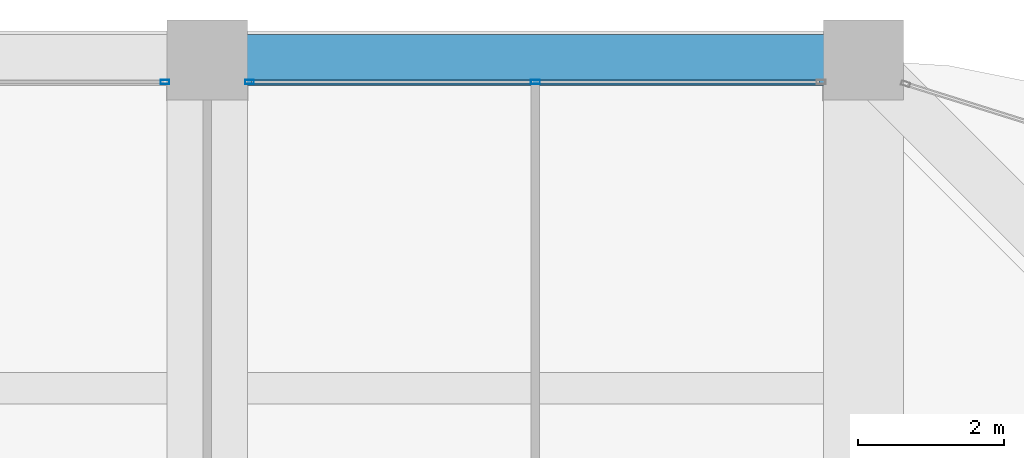
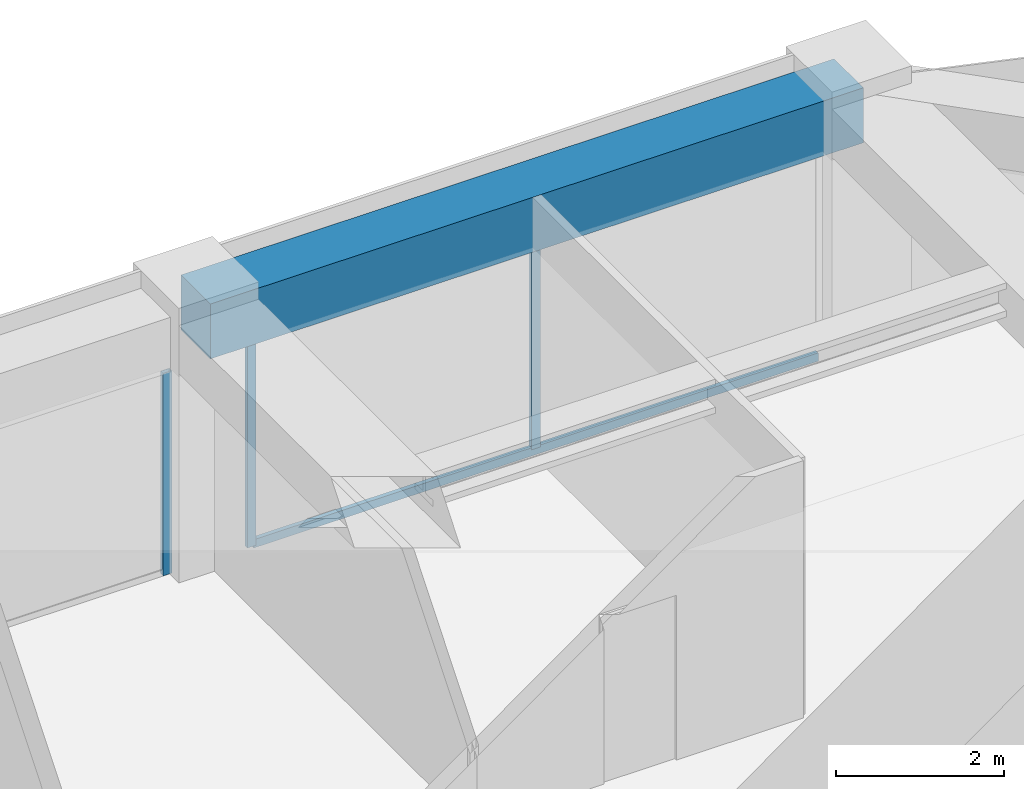
# One storey, part 35 of 45: 4 members, 1 beam, 2 elements without a shape of their own.
"""IFC4 building model written with IfcOpenShell, lengths in metres."""

import ifcopenshell
import ifcopenshell.guid

model = None  # the IFC model being written
_history = None  # IfcOwnerHistory: only IFC2X3 demands one
_inside = {}  # id of a spatial element -> (the spatial element, [elements in it])
_under = {}  # id of a project, library or spatial element -> (it, [spatial elements below it])
_declared = {}  # id of a project -> (the project, [libraries it declares])
_typed = {}  # id of a type object -> (the type object, [elements of that type])
_made_of = {}  # id of a material, layer set ... -> (it, [elements and type objects made of it])


def new_model(schema):
    """Start an empty IFC model of exactly this schema.

    Asked for "IFC4X3", IfcOpenShell would pick the latest addendum, in which some entities
    have other attributes; the version numbers below select the first issue.
    IFC2X3 requires an IfcOwnerHistory on every rooted entity: one is made here for all.
    """
    global model, _history
    if schema == "IFC4X3":
        model = ifcopenshell.file(schema_version=(4, 3, 0, 0))
    else:
        model = ifcopenshell.file(schema=schema)
    _inside.clear()
    _under.clear()
    _declared.clear()
    _typed.clear()
    _made_of.clear()
    _history = None
    if model.schema == "IFC2X3":
        org = make("IfcOrganization", Name="unknown")
        user = make(
            "IfcPersonAndOrganization",
            ThePerson=make("IfcPerson", FamilyName="unknown"),
            TheOrganization=org,
        )
        app = make(
            "IfcApplication",
            ApplicationDeveloper=org,
            Version="unknown",
            ApplicationFullName="unknown",
            ApplicationIdentifier="unknown",
        )
        _history = make(
            "IfcOwnerHistory",
            OwningUser=user,
            OwningApplication=app,
            ChangeAction="ADDED",
            CreationDate=0,
        )
    return model


def make(cls, **values):
    """One entity of the class cls with the attributes given. An attribute that is None is left unset."""
    return model.create_entity(
        cls, **{name: value for name, value in values.items() if value is not None}
    )


def rooted(cls, **values):
    """An entity with a GlobalId (a new one), such as an element, a storey or a relation."""
    return make(cls, GlobalId=ifcopenshell.guid.new(), OwnerHistory=_history, **values)


def si_unit(unit_type, name, prefix=None):
    """IfcSIUnit, for example si_unit("LENGTHUNIT", "METRE", prefix="MILLI")."""
    return make("IfcSIUnit", UnitType=unit_type, Prefix=prefix, Name=name)


def assignment(units):
    """IfcUnitAssignment: the units of a project."""
    return None if units is None else make("IfcUnitAssignment", Units=units)


def point(xyz):
    """IfcCartesianPoint."""
    return None if xyz is None else make("IfcCartesianPoint", Coordinates=xyz)


def direction(xyz):
    """IfcDirection."""
    return None if xyz is None else make("IfcDirection", DirectionRatios=xyz)


def frame(location, z_axis=None, x_axis=None):
    """IfcAxis2Placement3D, a coordinate frame: its origin and axes. An axis left out is left unset."""
    return make(
        "IfcAxis2Placement3D",
        Location=point(location),
        Axis=direction(z_axis),
        RefDirection=direction(x_axis),
    )


def frame_2d(location, x_axis=None):
    """IfcAxis2Placement2D, a coordinate frame in the plane: its origin and x axis."""
    return make(
        "IfcAxis2Placement2D", Location=point(location), RefDirection=direction(x_axis)
    )


def origin():
    """The frame at (0, 0, 0) with its axes left unset."""
    return frame((0.0, 0.0, 0.0))


def origin_2d():
    """The frame at (0, 0) in the plane with its x axis left unset."""
    return frame_2d((0.0, 0.0))


def place(relative_to, where):
    """IfcLocalPlacement: puts the frame where relative to a parent placement (None: the world)."""
    return make(
        "IfcLocalPlacement", PlacementRelTo=relative_to, RelativePlacement=where
    )


def context(
    kind, dimensions, precision=None, world=None, true_north=None, identifier=None
):
    """IfcGeometricRepresentationContext, for example the 3D "Model" context."""
    return make(
        "IfcGeometricRepresentationContext",
        ContextIdentifier=identifier,
        ContextType=kind,
        CoordinateSpaceDimension=dimensions,
        Precision=precision,
        WorldCoordinateSystem=world,
        TrueNorth=true_north,
    )


def subcontext(parent, identifier, kind, view, scale=None):
    """IfcGeometricRepresentationSubContext, for example "Body" below "Model"."""
    return make(
        "IfcGeometricRepresentationSubContext",
        ContextIdentifier=identifier,
        ContextType=kind,
        ParentContext=parent,
        TargetScale=scale,
        TargetView=view,
    )


def project(units=None, contexts=None):
    """IfcProject with its units and contexts."""
    return rooted(
        "IfcProject",
        Name="project",
        RepresentationContexts=contexts,
        UnitsInContext=assignment(units),
    )


def spatial(cls, under=None, at=None, **own):
    """A site, building, storey or space (cls), placed at a placement, below another one or the project."""
    s = rooted(cls, ObjectPlacement=at, **own)
    if under is not None:
        _under.setdefault(under.id(), (under, []))[1].append(s)
    return s


def profile(cls, at=None, kind="AREA", **sizes):
    """A parametric profile (cls). Its sizes go by their IFC names, for example OverallWidth=200.0."""
    return make(cls, ProfileType=kind, Position=at, **sizes)


def rectangle(**sizes):
    """IfcRectangleProfileDef."""
    return profile("IfcRectangleProfileDef", **sizes)


def hollow_rectangle(**sizes):
    """IfcRectangleHollowProfileDef."""
    return profile("IfcRectangleHollowProfileDef", **sizes)


def extrude(swept, where, along, depth):
    """IfcExtrudedAreaSolid: the profile swept, set in the frame where, extruded along a direction by depth."""
    return make(
        "IfcExtrudedAreaSolid",
        SweptArea=swept,
        Position=where,
        ExtrudedDirection=direction(along),
        Depth=depth,
    )


def shape(context_of_items, identifier, shape_type, items):
    """IfcShapeRepresentation: the items that make up one representation, for example the "Body"."""
    return make(
        "IfcShapeRepresentation",
        ContextOfItems=context_of_items,
        RepresentationIdentifier=identifier,
        RepresentationType=shape_type,
        Items=items,
    )


def material(Name=None, Category=None):
    """IfcMaterial."""
    return make("IfcMaterial", Name=Name, Category=Category)


def material_profile(
    of_material, cross_section, Name=None, Category=None, Priority=None
):
    """IfcMaterialProfile: a cross section and its material."""
    return make(
        "IfcMaterialProfile",
        Name=Name,
        Material=of_material,
        Profile=cross_section,
        Priority=Priority,
        Category=Category,
    )


def profile_set(profiles, Name=None, composite=None):
    """IfcMaterialProfileSet."""
    return make(
        "IfcMaterialProfileSet",
        Name=Name,
        MaterialProfiles=profiles,
        CompositeProfile=composite,
    )


def made_of(thing, what):
    """Note that an element or type object is made of a material, layer set ...; save() writes the relation."""
    if what is not None:
        _made_of.setdefault(what.id(), (what, []))[1].append(thing)
    return thing


def type_object(cls, material=None, **own):
    """A type object (cls), such as IfcWallType, which elements share."""
    return made_of(rooted(cls, **own), material)


def element(
    cls,
    number,
    at=None,
    inside=None,
    cuts=None,
    type_object=None,
    material=None,
    context=None,
    identifier="Body",
    shape_type=None,
    held_by="IfcProductDefinitionShape",
    body=None,
    shapes=None,
    **own,
):
    """One element of the class cls, such as IfcWall. Its Tag is "e" and its number.

    at: its placement. inside: the storey or other place that contains it. cuts: it is an
    opening in that element (IfcRelVoidsElement). A single representation is given by context,
    identifier, shape_type and body (its items); several are given by shapes. held_by: the class
    of the entity that holds the representations. save() writes the other relations.
    """
    e = rooted(cls, Tag="e%d" % number, ObjectPlacement=at, **own)
    if body is not None:
        shapes = [shape(context, identifier, shape_type, body)]
    if shapes is not None:
        e.Representation = make(held_by, Representations=shapes)
    if inside is not None:
        _inside.setdefault(inside.id(), (inside, []))[1].append(e)
    if cuts is not None:
        rooted(
            "IfcRelVoidsElement", RelatingBuildingElement=cuts, RelatedOpeningElement=e
        )
    if type_object is not None:
        _typed.setdefault(type_object.id(), (type_object, []))[1].append(e)
    return made_of(e, material)


def aggregate(whole, parts):
    """IfcRelAggregates: a whole, such as a stair, and the parts it consists of."""
    return rooted("IfcRelAggregates", RelatingObject=whole, RelatedObjects=parts)


def save(model, path):
    """Write the relations noted so far, then the file.

    IfcRelAggregates (storeys below a building ...), IfcRelContainedInSpatialStructure (elements
    in a storey), IfcRelDefinesByType, IfcRelAssociatesMaterial and IfcRelDeclares: one each for
    every whole, place, type object, material and project.
    """
    for whole, parts in _under.values():
        aggregate(whole, parts)
    for where, things in _inside.values():
        rooted(
            "IfcRelContainedInSpatialStructure",
            RelatedElements=things,
            RelatingStructure=where,
        )
    for kind, things in _typed.values():
        rooted("IfcRelDefinesByType", RelatedObjects=things, RelatingType=kind)
    for what, things in _made_of.values():
        rooted("IfcRelAssociatesMaterial", RelatedObjects=things, RelatingMaterial=what)
    for by, libraries in _declared.values():
        rooted("IfcRelDeclares", RelatingContext=by, RelatedDefinitions=libraries)
    model.write(path)


model = new_model("IFC4")

# Units and contexts
model_context = context("Model", 3, precision=1e-05, world=origin(), true_north=direction((0.0, 1.0)))
body_context = subcontext(model_context, "Body", "Model", "MODEL_VIEW")
ifc_project = project(units=[si_unit("LENGTHUNIT", "METRE"), si_unit("AREAUNIT", "SQUARE_METRE"), si_unit("VOLUMEUNIT", "CUBIC_METRE"), si_unit("PLANEANGLEUNIT", "RADIAN"), si_unit("MASSUNIT", "GRAM", prefix="KILO")], contexts=[model_context])

# Site, building, storey
site_placement = place(None, origin())
site = spatial("IfcSite", under=ifc_project, at=site_placement, CompositionType="ELEMENT")
building_placement = place(site_placement, origin())
building = spatial("IfcBuilding", under=site, at=building_placement, Name="Zorevar Civic Tower", CompositionType="ELEMENT")
storey_placement = place(building_placement, frame((0.0, 0.0, 279.39990234375)))
storey = spatial("IfcBuildingStorey", under=building, at=storey_placement, Name="L68", CompositionType="ELEMENT", Elevation=279.39990234375)

# Curtain wall, member
ifc_material_1 = material(Name="Dark grey solar-control glass in black aluminium frame", Category="aluminium")
curtain_wall_type = type_object("IfcCurtainWallType", Name="Curtain wall CW5 top zone", PredefinedType="NOTDEFINED", material=ifc_material_1)
curtain_wall_1_placement = place(storey_placement, origin())
curtain_wall_1 = element("IfcCurtainWall", 1, at=curtain_wall_1_placement, inside=storey, type_object=curtain_wall_type, Name="CW5 L68", PredefinedType="NOTDEFINED")
ifc_material_2 = material(Name="Aluminium, black anodised", Category="aluminium")
ifc_material_profile_1 = material_profile(ifc_material_2, hollow_rectangle(XDim=0.06005859375, YDim=0.1201171875, WallThickness=0.0029296875, at=origin_2d()), Name="AL 120x60x3")
ifc_profile_set_1 = profile_set([ifc_material_profile_1], Name="Aluminium, black anodised")
member_type_1 = type_object("IfcMemberType", Name="CW5 mullion AL 120x60x3", PredefinedType="MULLION", material=ifc_profile_set_1)
member_1_placement = place(storey_placement, frame((35.419921875, 44.699951171875, 0.0), z_axis=(0.0, 0.0, 1.0), x_axis=(0.0, 1.0, 0.0)))
member_1 = element("IfcMember", 2, at=member_1_placement, type_object=member_type_1, Name="CW5 mullion 3", PredefinedType="MULLION", context=body_context, shape_type="SweptSolid", body=[
    extrude(hollow_rectangle(XDim=0.06005859375, YDim=0.1201171875, WallThickness=0.0029296875, at=origin_2d()), origin(), (0.0, 0.0, 1.0), 2.9501953125),
])
aggregate(curtain_wall_1, [member_1])

# Curtain wall, members
curtain_wall_2_placement = place(storey_placement, origin())
curtain_wall_2 = element("IfcCurtainWall", 3, at=curtain_wall_2_placement, inside=storey, type_object=curtain_wall_type, Name="CW5 L68", PredefinedType="NOTDEFINED")
member_2_placement = place(storey_placement, frame((36.580078125, 44.699951171875, 0.0), z_axis=(0.0, 0.0, 1.0), x_axis=(0.0, 1.0, 0.0)))
member_2 = element("IfcMember", 4, at=member_2_placement, type_object=member_type_1, Name="CW5 mullion 1", PredefinedType="MULLION", context=body_context, shape_type="SweptSolid", body=[
    extrude(hollow_rectangle(XDim=0.06005859375, YDim=0.1201171875, WallThickness=0.0029296875, at=origin_2d()), origin(), (0.0, 0.0, 1.0), 2.9501953125),
])
member_3_placement = place(storey_placement, frame((40.5, 44.699951171875, 0.06005859375), z_axis=(0.0, 0.0, 1.0), x_axis=(0.0, 1.0, 0.0)))
member_3 = element("IfcMember", 5, at=member_3_placement, type_object=member_type_1, Name="CW5 mullion 2", PredefinedType="MULLION", context=body_context, shape_type="SweptSolid", body=[
    extrude(hollow_rectangle(XDim=0.06005859375, YDim=0.1201171875, WallThickness=0.0029296875, at=origin_2d()), origin(), (0.0, 0.0, 1.0), 2.89013671875),
])
ifc_material_3 = material(Name="Aluminium, black anodised", Category="aluminium")
ifc_material_profile_2 = material_profile(ifc_material_3, hollow_rectangle(XDim=0.06005859375, YDim=0.1201171875, WallThickness=0.0029296875, at=origin_2d()), Name="AL 120x60x3")
ifc_profile_set_2 = profile_set([ifc_material_profile_2], Name="Aluminium, black anodised")
member_type_2 = type_object("IfcMemberType", Name="CW5 transom AL 120x60x3", PredefinedType="USERDEFINED", material=ifc_profile_set_2)
member_4_placement = place(storey_placement, frame((36.610107421875, 44.699951171875, 0.030029296875), z_axis=(1.0, 0.0, 0.0), x_axis=(0.0, 1.0, 0.0)))
member_4 = element("IfcMember", 6, at=member_4_placement, type_object=member_type_2, Name="CW5 sill transom", ObjectType="TRANSOM", PredefinedType="USERDEFINED", context=body_context, shape_type="SweptSolid", body=[
    extrude(hollow_rectangle(XDim=0.06005859375, YDim=0.1201171875, WallThickness=0.0029296875, at=origin_2d()), origin(), (0.0, 0.0, 1.0), 7.77978515625),
])
aggregate(curtain_wall_2, [member_2, member_3, member_4])

# Beam
ifc_material_4 = material(Name="Concrete C50/60", Category="concrete")
ifc_material_profile_3 = material_profile(ifc_material_4, rectangle(XDim=0.699951171875, YDim=0.800048828125, at=origin_2d()), Name="RC 700x800")
ifc_profile_set_3 = profile_set([ifc_material_profile_3], Name="Concrete C50/60")
beam_type = type_object("IfcBeamType", Name="Edge beam RC 700x800", PredefinedType="SPANDREL", material=ifc_profile_set_3)
beam_placement = place(storey_placement, frame((36.0, 45.0, 3.35009765625), z_axis=(1.0, 0.0, 0.0), x_axis=(0.0, 1.0, 0.0)))
element("IfcBeam", 7, at=beam_placement, inside=storey, type_object=beam_type, Name="Edge beam L69", PredefinedType="SPANDREL", context=body_context, shape_type="SweptSolid", body=[
    extrude(rectangle(XDim=0.699951171875, YDim=0.800048828125, at=origin_2d()), origin(), (0.0, 0.0, 1.0), 9.0),
])

save(model, "model.ifc")
